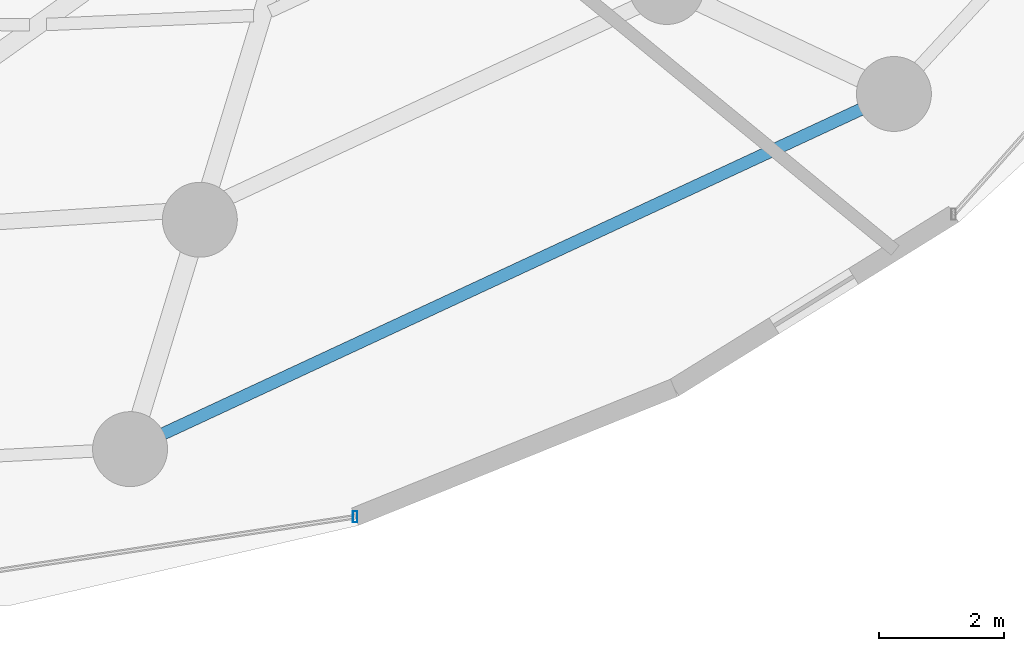
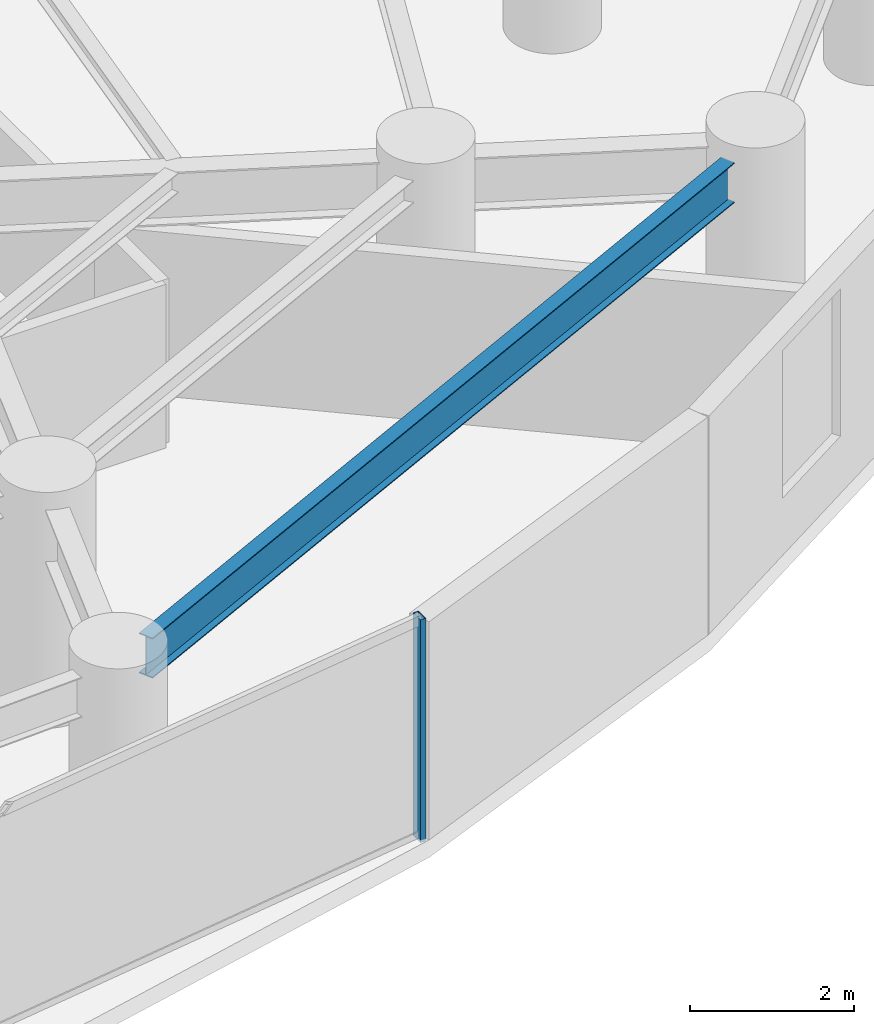
# One storey, part 9 of 30: 1 beam, 1 member, 1 element without a shape of its own.
"""IFC4 building model written with IfcOpenShell, lengths in metres."""

import ifcopenshell
import ifcopenshell.guid

model = None  # the IFC model being written
_history = None  # IfcOwnerHistory: only IFC2X3 demands one
_inside = {}  # id of a spatial element -> (the spatial element, [elements in it])
_under = {}  # id of a project, library or spatial element -> (it, [spatial elements below it])
_declared = {}  # id of a project -> (the project, [libraries it declares])
_typed = {}  # id of a type object -> (the type object, [elements of that type])
_made_of = {}  # id of a material, layer set ... -> (it, [elements and type objects made of it])


def new_model(schema):
    """Start an empty IFC model of exactly this schema.

    Asked for "IFC4X3", IfcOpenShell would pick the latest addendum, in which some entities
    have other attributes; the version numbers below select the first issue.
    IFC2X3 requires an IfcOwnerHistory on every rooted entity: one is made here for all.
    """
    global model, _history
    if schema == "IFC4X3":
        model = ifcopenshell.file(schema_version=(4, 3, 0, 0))
    else:
        model = ifcopenshell.file(schema=schema)
    _inside.clear()
    _under.clear()
    _declared.clear()
    _typed.clear()
    _made_of.clear()
    _history = None
    if model.schema == "IFC2X3":
        org = make("IfcOrganization", Name="unknown")
        user = make(
            "IfcPersonAndOrganization",
            ThePerson=make("IfcPerson", FamilyName="unknown"),
            TheOrganization=org,
        )
        app = make(
            "IfcApplication",
            ApplicationDeveloper=org,
            Version="unknown",
            ApplicationFullName="unknown",
            ApplicationIdentifier="unknown",
        )
        _history = make(
            "IfcOwnerHistory",
            OwningUser=user,
            OwningApplication=app,
            ChangeAction="ADDED",
            CreationDate=0,
        )
    return model


def make(cls, **values):
    """One entity of the class cls with the attributes given. An attribute that is None is left unset."""
    return model.create_entity(
        cls, **{name: value for name, value in values.items() if value is not None}
    )


def rooted(cls, **values):
    """An entity with a GlobalId (a new one), such as an element, a storey or a relation."""
    return make(cls, GlobalId=ifcopenshell.guid.new(), OwnerHistory=_history, **values)


def si_unit(unit_type, name, prefix=None):
    """IfcSIUnit, for example si_unit("LENGTHUNIT", "METRE", prefix="MILLI")."""
    return make("IfcSIUnit", UnitType=unit_type, Prefix=prefix, Name=name)


def assignment(units):
    """IfcUnitAssignment: the units of a project."""
    return None if units is None else make("IfcUnitAssignment", Units=units)


def point(xyz):
    """IfcCartesianPoint."""
    return None if xyz is None else make("IfcCartesianPoint", Coordinates=xyz)


def direction(xyz):
    """IfcDirection."""
    return None if xyz is None else make("IfcDirection", DirectionRatios=xyz)


def frame(location, z_axis=None, x_axis=None):
    """IfcAxis2Placement3D, a coordinate frame: its origin and axes. An axis left out is left unset."""
    return make(
        "IfcAxis2Placement3D",
        Location=point(location),
        Axis=direction(z_axis),
        RefDirection=direction(x_axis),
    )


def frame_2d(location, x_axis=None):
    """IfcAxis2Placement2D, a coordinate frame in the plane: its origin and x axis."""
    return make(
        "IfcAxis2Placement2D", Location=point(location), RefDirection=direction(x_axis)
    )


def origin():
    """The frame at (0, 0, 0) with its axes left unset."""
    return frame((0.0, 0.0, 0.0))


def origin_2d():
    """The frame at (0, 0) in the plane with its x axis left unset."""
    return frame_2d((0.0, 0.0))


def place(relative_to, where):
    """IfcLocalPlacement: puts the frame where relative to a parent placement (None: the world)."""
    return make(
        "IfcLocalPlacement", PlacementRelTo=relative_to, RelativePlacement=where
    )


def context(
    kind, dimensions, precision=None, world=None, true_north=None, identifier=None
):
    """IfcGeometricRepresentationContext, for example the 3D "Model" context."""
    return make(
        "IfcGeometricRepresentationContext",
        ContextIdentifier=identifier,
        ContextType=kind,
        CoordinateSpaceDimension=dimensions,
        Precision=precision,
        WorldCoordinateSystem=world,
        TrueNorth=true_north,
    )


def subcontext(parent, identifier, kind, view, scale=None):
    """IfcGeometricRepresentationSubContext, for example "Body" below "Model"."""
    return make(
        "IfcGeometricRepresentationSubContext",
        ContextIdentifier=identifier,
        ContextType=kind,
        ParentContext=parent,
        TargetScale=scale,
        TargetView=view,
    )


def project(units=None, contexts=None):
    """IfcProject with its units and contexts."""
    return rooted(
        "IfcProject",
        Name="project",
        RepresentationContexts=contexts,
        UnitsInContext=assignment(units),
    )


def spatial(cls, under=None, at=None, **own):
    """A site, building, storey or space (cls), placed at a placement, below another one or the project."""
    s = rooted(cls, ObjectPlacement=at, **own)
    if under is not None:
        _under.setdefault(under.id(), (under, []))[1].append(s)
    return s


def profile(cls, at=None, kind="AREA", **sizes):
    """A parametric profile (cls). Its sizes go by their IFC names, for example OverallWidth=200.0."""
    return make(cls, ProfileType=kind, Position=at, **sizes)


def hollow_rectangle(**sizes):
    """IfcRectangleHollowProfileDef."""
    return profile("IfcRectangleHollowProfileDef", **sizes)


def i_section(**sizes):
    """IfcIShapeProfileDef."""
    return profile("IfcIShapeProfileDef", **sizes)


def extrude(swept, where, along, depth):
    """IfcExtrudedAreaSolid: the profile swept, set in the frame where, extruded along a direction by depth."""
    return make(
        "IfcExtrudedAreaSolid",
        SweptArea=swept,
        Position=where,
        ExtrudedDirection=direction(along),
        Depth=depth,
    )


def shape(context_of_items, identifier, shape_type, items):
    """IfcShapeRepresentation: the items that make up one representation, for example the "Body"."""
    return make(
        "IfcShapeRepresentation",
        ContextOfItems=context_of_items,
        RepresentationIdentifier=identifier,
        RepresentationType=shape_type,
        Items=items,
    )


def material(Name=None, Category=None):
    """IfcMaterial."""
    return make("IfcMaterial", Name=Name, Category=Category)


def material_profile(
    of_material, cross_section, Name=None, Category=None, Priority=None
):
    """IfcMaterialProfile: a cross section and its material."""
    return make(
        "IfcMaterialProfile",
        Name=Name,
        Material=of_material,
        Profile=cross_section,
        Priority=Priority,
        Category=Category,
    )


def profile_set(profiles, Name=None, composite=None):
    """IfcMaterialProfileSet."""
    return make(
        "IfcMaterialProfileSet",
        Name=Name,
        MaterialProfiles=profiles,
        CompositeProfile=composite,
    )


def made_of(thing, what):
    """Note that an element or type object is made of a material, layer set ...; save() writes the relation."""
    if what is not None:
        _made_of.setdefault(what.id(), (what, []))[1].append(thing)
    return thing


def type_object(cls, material=None, **own):
    """A type object (cls), such as IfcWallType, which elements share."""
    return made_of(rooted(cls, **own), material)


def element(
    cls,
    number,
    at=None,
    inside=None,
    cuts=None,
    type_object=None,
    material=None,
    context=None,
    identifier="Body",
    shape_type=None,
    held_by="IfcProductDefinitionShape",
    body=None,
    shapes=None,
    **own,
):
    """One element of the class cls, such as IfcWall. Its Tag is "e" and its number.

    at: its placement. inside: the storey or other place that contains it. cuts: it is an
    opening in that element (IfcRelVoidsElement). A single representation is given by context,
    identifier, shape_type and body (its items); several are given by shapes. held_by: the class
    of the entity that holds the representations. save() writes the other relations.
    """
    e = rooted(cls, Tag="e%d" % number, ObjectPlacement=at, **own)
    if body is not None:
        shapes = [shape(context, identifier, shape_type, body)]
    if shapes is not None:
        e.Representation = make(held_by, Representations=shapes)
    if inside is not None:
        _inside.setdefault(inside.id(), (inside, []))[1].append(e)
    if cuts is not None:
        rooted(
            "IfcRelVoidsElement", RelatingBuildingElement=cuts, RelatedOpeningElement=e
        )
    if type_object is not None:
        _typed.setdefault(type_object.id(), (type_object, []))[1].append(e)
    return made_of(e, material)


def aggregate(whole, parts):
    """IfcRelAggregates: a whole, such as a stair, and the parts it consists of."""
    return rooted("IfcRelAggregates", RelatingObject=whole, RelatedObjects=parts)


def save(model, path):
    """Write the relations noted so far, then the file.

    IfcRelAggregates (storeys below a building ...), IfcRelContainedInSpatialStructure (elements
    in a storey), IfcRelDefinesByType, IfcRelAssociatesMaterial and IfcRelDeclares: one each for
    every whole, place, type object, material and project.
    """
    for whole, parts in _under.values():
        aggregate(whole, parts)
    for where, things in _inside.values():
        rooted(
            "IfcRelContainedInSpatialStructure",
            RelatedElements=things,
            RelatingStructure=where,
        )
    for kind, things in _typed.values():
        rooted("IfcRelDefinesByType", RelatedObjects=things, RelatingType=kind)
    for what, things in _made_of.values():
        rooted("IfcRelAssociatesMaterial", RelatedObjects=things, RelatingMaterial=what)
    for by, libraries in _declared.values():
        rooted("IfcRelDeclares", RelatingContext=by, RelatedDefinitions=libraries)
    model.write(path)


model = new_model("IFC4")

# Units and contexts
model_context = context("Model", 3, precision=1e-05, world=origin(), true_north=direction((0.0, 1.0)))
body_context = subcontext(model_context, "Body", "Model", "MODEL_VIEW")
ifc_project = project(units=[si_unit("LENGTHUNIT", "METRE"), si_unit("AREAUNIT", "SQUARE_METRE"), si_unit("VOLUMEUNIT", "CUBIC_METRE"), si_unit("PLANEANGLEUNIT", "RADIAN"), si_unit("MASSUNIT", "GRAM", prefix="KILO")], contexts=[model_context])

# Site, building, storey
site_placement = place(None, origin())
site = spatial("IfcSite", under=ifc_project, at=site_placement, CompositionType="ELEMENT")
building_placement = place(site_placement, origin())
building = spatial("IfcBuilding", under=site, at=building_placement, Name="Vorneva Point Tower", CompositionType="ELEMENT")
storey_placement = place(building_placement, frame((0.0, 0.0, 55.5)))
storey = spatial("IfcBuildingStorey", under=building, at=storey_placement, Name="L14", CompositionType="ELEMENT", Elevation=55.5)

# Beam
ifc_material_1 = material(Name="Steel S355", Category="steel")
ifc_material_profile_1 = material_profile(ifc_material_1, i_section(OverallWidth=0.198974609375, OverallDepth=0.595947265625, WebThickness=0.010009765625, FlangeThickness=0.014892578125, at=origin_2d()), Name="60B1")
ifc_profile_set_1 = profile_set([ifc_material_profile_1], Name="Steel S355")
beam_type = type_object("IfcBeamType", Name="BM-SPN-60B1", PredefinedType="SPANDREL", material=ifc_profile_set_1)
beam_placement = place(storey_placement, frame((46.233642578125, 6.681884765625, 2.94189453125), z_axis=(0.906772901024, 0.421619385191, 0.0), x_axis=(-0.421619385191, 0.906772901024, 0.0)))
element("IfcBeam", 1, at=beam_placement, inside=storey, type_object=beam_type, Name="L14 Perimeter Spandrel Ring Beam 14", PredefinedType="SPANDREL", context=body_context, shape_type="SweptSolid", body=[
    extrude(i_section(OverallWidth=0.198974609375, OverallDepth=0.595947265625, WebThickness=0.010009765625, FlangeThickness=0.014892578125, at=origin_2d()), origin(), (0.0, 0.0, 1.0), 12.323486328125),
])

# Curtain wall, member
ifc_material_2 = material(Name="Pale anodised aluminium", Category="aluminium")
curtain_wall_type = type_object("IfcCurtainWallType", Name="CW-HTL-SYS", PredefinedType="NOTDEFINED", material=ifc_material_2)
curtain_wall_placement = place(storey_placement, origin())
curtain_wall = element("IfcCurtainWall", 2, at=curtain_wall_placement, inside=storey, type_object=curtain_wall_type, Name="L14 Unitised Curtain Wall CW-L14-R04", PredefinedType="NOTDEFINED")
ifc_material_profile_2 = material_profile(ifc_material_2, hollow_rectangle(XDim=0.074951171875, YDim=0.179931640625, WallThickness=0.00390625, at=origin_2d()), Name="AL-MUL 180x75x4")
ifc_profile_set_2 = profile_set([ifc_material_profile_2], Name="Pale anodised aluminium")
member_type = type_object("IfcMemberType", Name="CW-MUL-180", PredefinedType="MULLION", material=ifc_profile_set_2)
member_placement = place(storey_placement, frame((49.308349609375, 5.351318359375, -0.0400390625), z_axis=(0.0, 0.0, 1.0), x_axis=(1.0, 0.0, 0.0)))
member = element("IfcMember", 3, at=member_placement, type_object=member_type, Name="CW-L14-R04 Mullion 03", PredefinedType="MULLION", context=body_context, shape_type="SweptSolid", body=[
    extrude(hollow_rectangle(XDim=0.074951171875, YDim=0.179931640625, WallThickness=0.00390625, at=origin_2d()), origin(), (0.0, 0.0, 1.0), 3.31005859375),
])
aggregate(curtain_wall, [member])

save(model, "model.ifc")
